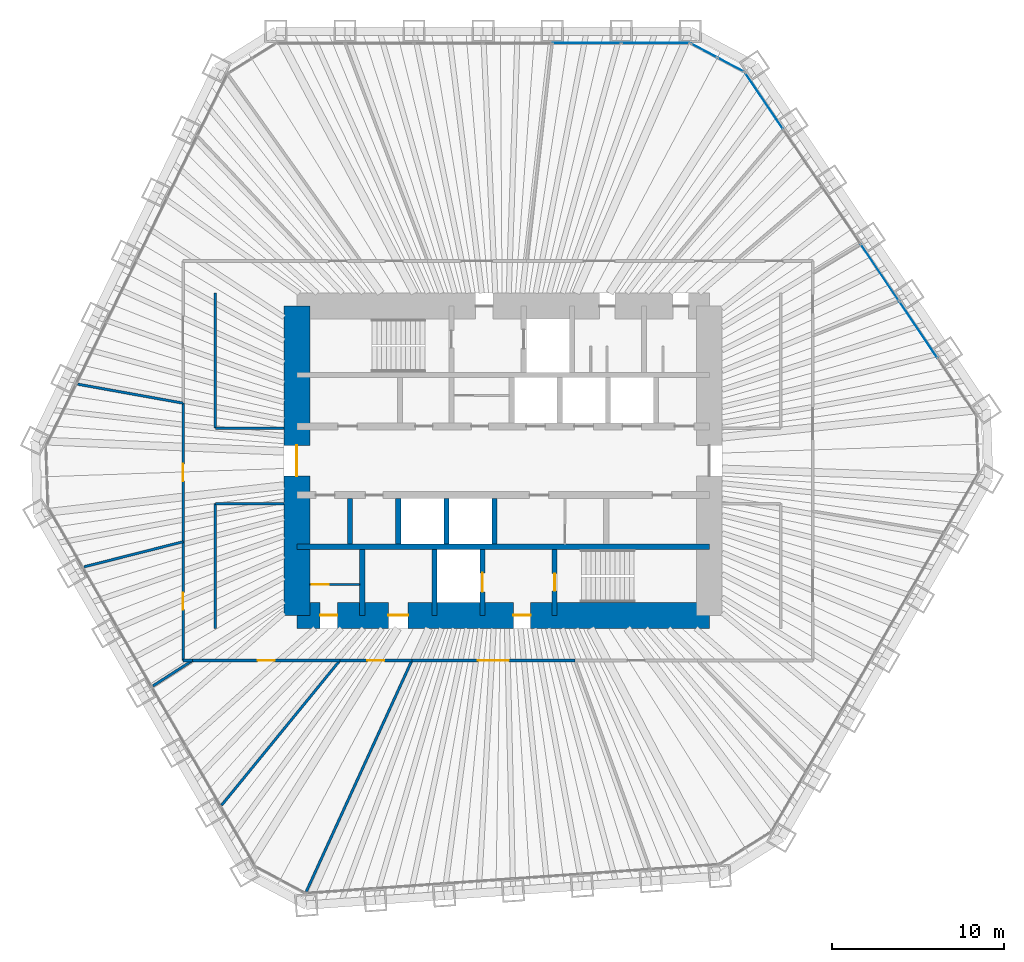
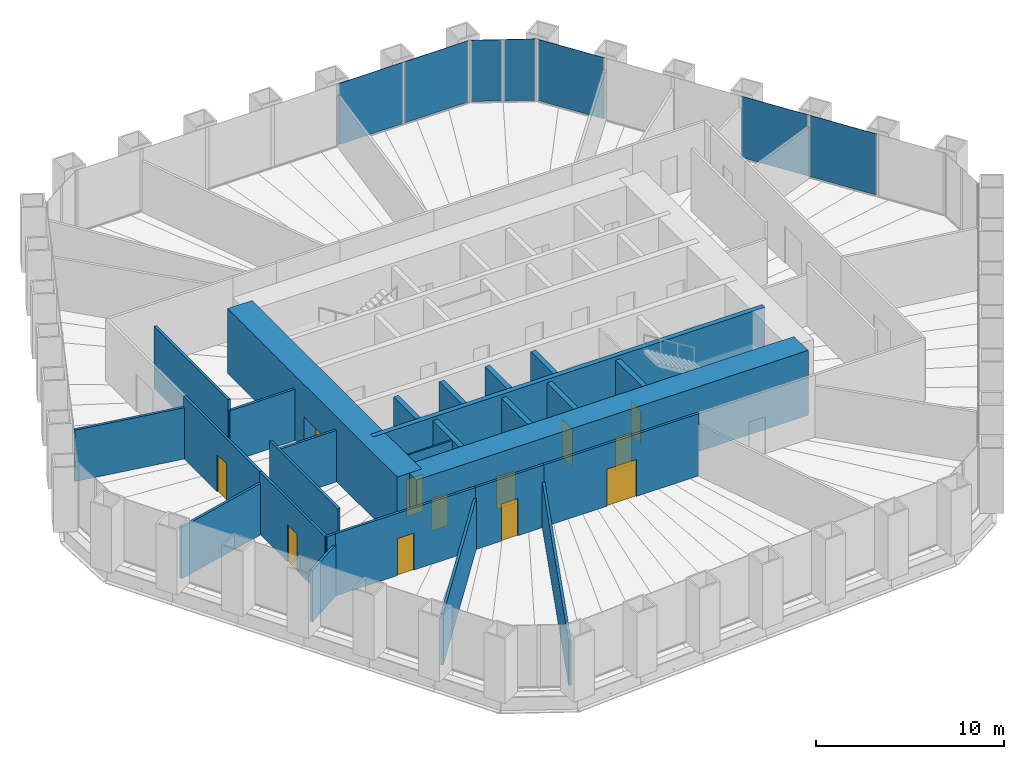
# One storey, part 10 of 13: 27 walls, 12 doors, 7 plates, 12 openings, 3 elements without a shape of their own.
"""IFC4 building model written with IfcOpenShell, lengths in metres."""

from ifc_helpers import new_model, si_unit, direction, frame, frame_2d, origin, origin_2d, place, context, subcontext, project, spatial, rectangle, extrude, material, layer, layer_set, type_object, element, fill, aggregate, save


model = new_model("IFC4")

# Units and contexts
model_context = context("Model", 3, precision=1e-05, world=origin(), true_north=direction((0.0, 1.0)))
body_context = subcontext(model_context, "Body", "Model", "MODEL_VIEW")
ifc_project = project(units=[si_unit("LENGTHUNIT", "METRE"), si_unit("AREAUNIT", "SQUARE_METRE"), si_unit("VOLUMEUNIT", "CUBIC_METRE"), si_unit("PLANEANGLEUNIT", "RADIAN"), si_unit("MASSUNIT", "GRAM", prefix="KILO")], contexts=[model_context])

# Site, building, storey
site_placement = place(None, origin())
site = spatial("IfcSite", under=ifc_project, at=site_placement, CompositionType="ELEMENT")
building_placement = place(site_placement, origin())
building = spatial("IfcBuilding", under=site, at=building_placement, Name="Qingtian Harvest Tower", CompositionType="ELEMENT")
storey_placement = place(building_placement, frame((0.0, 0.0, 157.60009765625)))
storey = spatial("IfcBuildingStorey", under=building, at=storey_placement, Name="L33", CompositionType="ELEMENT", Elevation=157.60009765625)

# Curtain wall, plates
ifc_material_1 = material(Name="Bronze-anodised aluminium curtain wall", Category="aluminium")
curtain_wall_type = type_object("IfcCurtainWallType", Name="Curtain wall CW4 office", PredefinedType="USERDEFINED", material=ifc_material_1)
curtain_wall_1_placement = place(storey_placement, origin())
curtain_wall_1 = element("IfcCurtainWall", 1, at=curtain_wall_1_placement, inside=storey, type_object=curtain_wall_type, Name="Curtain wall CW4 L33 N0-5", ObjectType="RECESSED CURTAIN WALL", PredefinedType="USERDEFINED")
ifc_material_2 = material(Name="Bronze-tinted laminated insulating glass", Category="glass")
ifc_layer_1 = layer(ifc_material_2, 0.030029296875)
ifc_layer_set_1 = layer_set([ifc_layer_1], Name="Glazed panel CWP tinted IGU")
plate_type = type_object("IfcPlateType", Name="Glazed panel CWP tinted IGU", PredefinedType="CURTAIN_PANEL", material=ifc_layer_set_1)
plate_1_placement = place(storey_placement, frame((4.864013671875, 24.300048828125, 0.06494140625), z_axis=(0.0, 0.0, 1.0), x_axis=(1.0, 0.0, 0.0)))
plate_1 = element("IfcPlate", 2, at=plate_1_placement, type_object=plate_type, Name="CW4 panel 5.1", PredefinedType="CURTAIN_PANEL", context=body_context, shape_type="SweptSolid", body=[
    extrude(rectangle(XDim=3.9541015625, YDim=0.030029296875, at=origin_2d()), origin(), (0.0, 0.0, 1.0), 3.965087890625),
])
plate_2_placement = place(storey_placement, frame((8.866943359375, 24.300048828125, 0.06494140625), z_axis=(0.0, 0.0, 1.0), x_axis=(1.0, 0.0, 0.0)))
plate_2 = element("IfcPlate", 3, at=plate_2_placement, type_object=plate_type, Name="CW4 panel 6.1", PredefinedType="CURTAIN_PANEL", context=body_context, shape_type="SweptSolid", body=[
    extrude(rectangle(XDim=3.921630859375, YDim=0.030029296875, at=origin_2d()), origin(), (0.0, 0.0, 1.0), 3.965087890625),
])
aggregate(curtain_wall_1, [plate_1, plate_2])

curtain_wall_2_placement = place(storey_placement, origin())
curtain_wall_2 = element("IfcCurtainWall", 4, at=curtain_wall_2_placement, inside=storey, type_object=curtain_wall_type, Name="Curtain wall CW4 L33 NC", ObjectType="RECESSED CURTAIN WALL", PredefinedType="USERDEFINED")
plate_3_placement = place(storey_placement, frame((11.697509765625, 23.8720703125, 0.06494140625), z_axis=(0.0, 0.0, 1.0), x_axis=(0.882947592859, -0.469471562786, 0.0)))
plate_3 = element("IfcPlate", 5, at=plate_3_placement, type_object=plate_type, Name="CW4 panel 1.1", PredefinedType="CURTAIN_PANEL", context=body_context, shape_type="SweptSolid", body=[
    extrude(rectangle(XDim=1.69287109375, YDim=0.030029296875, at=origin_2d()), origin(), (0.0, 0.0, 1.0), 3.965087890625),
])
plate_4_placement = place(storey_placement, frame((13.249755859375, 23.046875, 0.06494140625), z_axis=(0.0, 0.0, 1.0), x_axis=(0.882947592859, -0.469471562786, 0.0)))
plate_4 = element("IfcPlate", 6, at=plate_4_placement, type_object=plate_type, Name="CW4 panel 2.1", PredefinedType="CURTAIN_PANEL", context=body_context, shape_type="SweptSolid", body=[
    extrude(rectangle(XDim=1.69287109375, YDim=0.030029296875, at=origin_2d()), origin(), (0.0, 0.0, 1.0), 3.965087890625),
])
aggregate(curtain_wall_2, [plate_3, plate_4])

curtain_wall_3_placement = place(storey_placement, origin())
curtain_wall_3 = element("IfcCurtainWall", 7, at=curtain_wall_3_placement, inside=storey, type_object=curtain_wall_type, Name="Curtain wall CW4 L33 NE0-5", ObjectType="RECESSED CURTAIN WALL", PredefinedType="USERDEFINED")
plate_5_placement = place(storey_placement, frame((15.187255859375, 20.939453125, 0.06494140625), z_axis=(0.0, 0.0, 1.0), x_axis=(0.559192903471, -0.829037572555, 0.0)))
plate_5 = element("IfcPlate", 8, at=plate_5_placement, type_object=plate_type, Name="CW4 panel 1.1", PredefinedType="CURTAIN_PANEL", context=body_context, shape_type="SweptSolid", body=[
    extrude(rectangle(XDim=3.921630859375, YDim=0.030029296875, at=origin_2d()), origin(), (0.0, 0.0, 1.0), 3.965087890625),
])
plate_6_placement = place(storey_placement, frame((21.92041015625, 10.95703125, 0.06494140625), z_axis=(0.0, 0.0, 1.0), x_axis=(0.559192903471, -0.829037572555, 0.0)))
plate_6 = element("IfcPlate", 9, at=plate_6_placement, type_object=plate_type, Name="CW4 panel 4.1", PredefinedType="CURTAIN_PANEL", context=body_context, shape_type="SweptSolid", body=[
    extrude(rectangle(XDim=3.9541015625, YDim=0.030029296875, at=origin_2d()), origin(), (0.0, 0.0, 1.0), 3.965087890625),
])
plate_7_placement = place(storey_placement, frame((24.16796875, 7.625, 0.06494140625), z_axis=(0.0, 0.0, 1.0), x_axis=(0.559192903471, -0.829037572555, 0.0)))
plate_7 = element("IfcPlate", 10, at=plate_7_placement, type_object=plate_type, Name="CW4 panel 5.1", PredefinedType="CURTAIN_PANEL", context=body_context, shape_type="SweptSolid", body=[
    extrude(rectangle(XDim=3.9541015625, YDim=0.030029296875, at=origin_2d()), origin(), (0.0, 0.0, 1.0), 3.965087890625),
])
aggregate(curtain_wall_3, [plate_5, plate_6, plate_7])

# Walls
ifc_material_3 = material(Name="Concrete fc' 70 MPa", Category="concrete")
ifc_layer_2 = layer(ifc_material_3, 0.300048828125)
ifc_layer_set_2 = layer_set([ifc_layer_2], Name="Core inner wall RC5 300")
wall_type_1 = type_object("IfcWallType", Name="Core inner wall RC5 300", PredefinedType="SHEAR", material=ifc_layer_set_2)
wall_1_placement = place(storey_placement, frame((-12.0, -5.0, 0.0), z_axis=(0.0, 0.0, 1.0), x_axis=(1.0, 0.0, 0.0)))
element("IfcWall", 11, at=wall_1_placement, inside=storey, type_object=wall_type_1, Name="Core wall IS5 L33", PredefinedType="SHEAR", context=body_context, shape_type="SweptSolid", body=[
    extrude(rectangle(XDim=24.0, YDim=0.300048828125, at=frame_2d((12.0, 0.0))), origin(), (0.0, 0.0, 1.0), 4.199951171875),
])
ifc_material_4 = material(Name="Precast concrete shaft panel", Category="concrete")
ifc_layer_3 = layer(ifc_material_4, 0.300048828125)
ifc_layer_set_3 = layer_set([ifc_layer_3], Name="Core shaft partition SW1 300")
wall_type_2 = type_object("IfcWallType", Name="Core shaft partition SW1 300", PredefinedType="PARTITIONING", material=ifc_layer_set_3)
for number, where, z_axis, x_axis, name in (
    (12, (-8.89990234375, -4.85009765625, 0.0), (0.0, 0.0, 1.0), (0.0, 1.0, 0.0), "Core shaft partition XB1 L33"),
    (13, (-6.10009765625, -4.85009765625, 0.0), (0.0, 0.0, 1.0), (0.0, 1.0, 0.0), "Core shaft partition XB2 L33"),
    (14, (-3.300048828125, -4.85009765625, 0.0), (0.0, 0.0, 1.0), (0.0, 1.0, 0.0), "Core shaft partition XB3 L33"),
    (15, (-0.5, -4.85009765625, 0.0), (0.0, 0.0, 1.0), (0.0, 1.0, 0.0), "Core shaft partition XB4 L33"),
):
    element("IfcWall", number, at=place(storey_placement, frame(where, z_axis=z_axis, x_axis=x_axis)), inside=storey, type_object=wall_type_2, Name=name, PredefinedType="PARTITIONING", context=body_context, shape_type="SweptSolid", body=[
        extrude(rectangle(XDim=2.650146484375, YDim=0.300048828125, at=frame_2d((1.3251953125, 0.0))), origin(), (0.0, 0.0, 1.0), 3.97998046875),
    ])
for number, where, z_axis, x_axis, name in (
    (16, (-8.199951171875, -9.0, 0.0), (0.0, 0.0, 1.0), (0.0, 1.0, 0.0), "Core shaft partition XS1 L33"),
    (17, (-4.0, -9.0, 0.0), (0.0, 0.0, 1.0), (0.0, 1.0, 0.0), "Core shaft partition XS2 L33"),
):
    element("IfcWall", number, at=place(storey_placement, frame(where, z_axis=z_axis, x_axis=x_axis)), inside=storey, type_object=wall_type_2, Name=name, PredefinedType="PARTITIONING", context=body_context, shape_type="SweptSolid", body=[
        extrude(rectangle(XDim=3.85009765625, YDim=0.300048828125, at=frame_2d((1.925048828125, 0.0))), origin(), (0.0, 0.0, 1.0), 3.97998046875),
    ])

# Wall, opening, door
wall_2_placement = place(storey_placement, frame((-1.199951171875, -9.0, 0.0), z_axis=(0.0, 0.0, 1.0), x_axis=(0.0, 1.0, 0.0)))
wall_2 = element("IfcWall", 18, at=wall_2_placement, inside=storey, type_object=wall_type_2, Name="Core shaft partition XS3 L33", PredefinedType="PARTITIONING", context=body_context, shape_type="SweptSolid", body=[
    extrude(rectangle(XDim=3.85009765625, YDim=0.300048828125, at=frame_2d((1.925048828125, 0.0))), origin(), (0.0, 0.0, 1.0), 3.97998046875),
])
opening_1_placement = place(wall_2_placement, frame((1.375, 0.0, 0.0)))
opening_1 = element("IfcOpeningElement", 19, at=opening_1_placement, cuts=wall_2, Name="Opening LD1", PredefinedType="OPENING", context=body_context, shape_type="SweptSolid", body=[
    extrude(rectangle(XDim=1.10009765625, YDim=2.39990234375, at=frame_2d((0.550048828125, 1.199951171875))), frame((0.0, 0.159912109375, 0.0), z_axis=(0.0, -1.0, 0.0), x_axis=(1.0, 0.0, 0.0)), (0.0, 0.0, 1.0), 0.320068359375),
])
ifc_material_5 = material(Name="Stainless steel lift landing door", Category="steel")
door_type_1 = type_object("IfcDoorType", Name="Lift landing door LD1 1 HR", OperationType="DOUBLE_DOOR_SLIDING", PredefinedType="DOOR", material=ifc_material_5)
door_1_placement = place(opening_1_placement, origin())
door_1 = element("IfcDoor", 20, at=door_1_placement, inside=storey, type_object=door_type_1, Name="FL2 landing door L33", OperationType="DOUBLE_DOOR_SLIDING", OverallHeight=2.39990234375, OverallWidth=1.10009765625, PredefinedType="DOOR", context=body_context, shape_type="SweptSolid", body=[
    extrude(rectangle(XDim=1.10009765625, YDim=2.39990234375, at=frame_2d((0.550048828125, 1.199951171875))), frame((0.0, 0.02490234375, 0.0), z_axis=(0.0, -1.0, 0.0), x_axis=(1.0, 0.0, 0.0)), (0.0, 0.0, 1.0), 0.050048828125),
])
fill(opening_1, door_1)

wall_3_placement = place(storey_placement, frame((3.0, -9.0, 0.0), z_axis=(0.0, 0.0, 1.0), x_axis=(0.0, 1.0, 0.0)))
wall_3 = element("IfcWall", 21, at=wall_3_placement, inside=storey, type_object=wall_type_2, Name="Core shaft partition XS4 L33", PredefinedType="PARTITIONING", context=body_context, shape_type="SweptSolid", body=[
    extrude(rectangle(XDim=3.85009765625, YDim=0.300048828125, at=frame_2d((1.925048828125, 0.0))), origin(), (0.0, 0.0, 1.0), 3.97998046875),
])
opening_2_placement = place(wall_3_placement, frame((1.425048828125, 0.0, 0.0)))
opening_2 = element("IfcOpeningElement", 22, at=opening_2_placement, cuts=wall_3, Name="Opening FD1", PredefinedType="OPENING", context=body_context, shape_type="SweptSolid", body=[
    extrude(rectangle(XDim=1.0, YDim=2.10009765625, at=frame_2d((0.5, 1.050048828125))), frame((0.0, 0.159912109375, 0.0), z_axis=(0.0, -1.0, 0.0), x_axis=(1.0, 0.0, 0.0)), (0.0, 0.0, 1.0), 0.320068359375),
])
ifc_material_6 = material(Name="Steel-faced door leaf", Category="steel")
door_type_2 = type_object("IfcDoorType", Name="Fire door FD1 single 1 HR", OperationType="SINGLE_SWING_LEFT", PredefinedType="DOOR", material=ifc_material_6)
door_2_placement = place(opening_2_placement, origin())
door_2 = element("IfcDoor", 23, at=door_2_placement, inside=storey, type_object=door_type_2, Name="S2 door L33", OperationType="SINGLE_SWING_LEFT", OverallHeight=2.10009765625, OverallWidth=1.0, PredefinedType="DOOR", context=body_context, shape_type="SweptSolid", body=[
    extrude(rectangle(XDim=1.0, YDim=2.10009765625, at=frame_2d((0.5, 1.050048828125))), frame((0.0, 0.02490234375, 0.0), z_axis=(0.0, -1.0, 0.0), x_axis=(1.0, 0.0, 0.0)), (0.0, 0.0, 1.0), 0.050048828125),
])
fill(opening_2, door_2)

# Wall, openings, doors
ifc_material_7 = material(Name="Concrete fc' 70 MPa", Category="concrete")
ifc_layer_4 = layer(ifc_material_7, 1.5)
ifc_layer_set_4 = layer_set([ifc_layer_4], Name="Core wall RC1 1500")
wall_type_3 = type_object("IfcWallType", Name="Core wall RC1 1500", PredefinedType="SHEAR", material=ifc_layer_set_4)
wall_4_placement = place(storey_placement, frame((-12.0, -9.0, 0.0), z_axis=(0.0, 0.0, 1.0), x_axis=(1.0, 0.0, 0.0)))
wall_4 = element("IfcWall", 24, at=wall_4_placement, inside=storey, type_object=wall_type_3, Name="Core wall CS L33", PredefinedType="SHEAR", context=body_context, shape_type="SweptSolid", body=[
    extrude(rectangle(XDim=24.0, YDim=1.5, at=frame_2d((12.0, 0.0))), origin(), (0.0, 0.0, 1.0), 4.199951171875),
])
opening_3_placement = place(wall_4_placement, frame((1.35009765625, 0.0, 0.0)))
opening_3 = element("IfcOpeningElement", 25, at=opening_3_placement, cuts=wall_4, Name="Opening FD1", PredefinedType="OPENING", context=body_context, shape_type="SweptSolid", body=[
    extrude(rectangle(XDim=1.0, YDim=2.10009765625, at=frame_2d((0.5, 1.050048828125))), frame((0.0, 0.760009765625, 0.0), z_axis=(0.0, -1.0, 0.0), x_axis=(1.0, 0.0, 0.0)), (0.0, 0.0, 1.0), 1.52001953125),
])
opening_4_placement = place(wall_4_placement, frame((5.324951171875, 0.0, 0.0)))
opening_4 = element("IfcOpeningElement", 26, at=opening_4_placement, cuts=wall_4, Name="Opening AD1", PredefinedType="OPENING", context=body_context, shape_type="SweptSolid", body=[
    extrude(rectangle(XDim=1.14990234375, YDim=2.10009765625, at=frame_2d((0.574951171875, 1.050048828125))), frame((0.0, 0.760009765625, 0.0), z_axis=(0.0, -1.0, 0.0), x_axis=(1.0, 0.0, 0.0)), (0.0, 0.0, 1.0), 1.52001953125),
])
opening_5_placement = place(wall_4_placement, frame((12.60009765625, 0.0, 0.0)))
opening_5 = element("IfcOpeningElement", 27, at=opening_5_placement, cuts=wall_4, Name="Opening FD1", PredefinedType="OPENING", context=body_context, shape_type="SweptSolid", body=[
    extrude(rectangle(XDim=1.0, YDim=2.10009765625, at=frame_2d((0.5, 1.050048828125))), frame((0.0, 0.760009765625, 0.0), z_axis=(0.0, -1.0, 0.0), x_axis=(1.0, 0.0, 0.0)), (0.0, 0.0, 1.0), 1.52001953125),
])
ifc_material_8 = material(Name="Laminated timber door leaf", Category="wood")
door_type_3 = type_object("IfcDoorType", Name="Accessible WC door AD1 single", OperationType="SINGLE_SWING_LEFT", PredefinedType="DOOR", material=ifc_material_8)
door_3_placement = place(opening_4_placement, origin())
door_3 = element("IfcDoor", 28, at=door_3_placement, inside=storey, type_object=door_type_3, Name="AWC door L33", OperationType="SINGLE_SWING_LEFT", OverallHeight=2.10009765625, OverallWidth=1.14990234375, PredefinedType="DOOR", context=body_context, shape_type="SweptSolid", body=[
    extrude(rectangle(XDim=1.14990234375, YDim=2.10009765625, at=frame_2d((0.574951171875, 1.050048828125))), frame((0.0, 0.02490234375, 0.0), z_axis=(0.0, -1.0, 0.0), x_axis=(1.0, 0.0, 0.0)), (0.0, 0.0, 1.0), 0.050048828125),
])
fill(opening_4, door_3)
door_4_placement = place(opening_3_placement, origin())
door_4 = element("IfcDoor", 29, at=door_4_placement, inside=storey, type_object=door_type_2, Name="CLN door L33", OperationType="SINGLE_SWING_RIGHT", OverallHeight=2.10009765625, OverallWidth=1.0, PredefinedType="DOOR", context=body_context, shape_type="SweptSolid", body=[
    extrude(rectangle(XDim=1.0, YDim=2.10009765625, at=frame_2d((0.5, 1.050048828125))), frame((0.0, 0.02490234375, 0.0), z_axis=(0.0, -1.0, 0.0), x_axis=(1.0, 0.0, 0.0)), (0.0, 0.0, 1.0), 0.050048828125),
])
fill(opening_3, door_4)
door_5_placement = place(opening_5_placement, origin())
door_5 = element("IfcDoor", 30, at=door_5_placement, inside=storey, type_object=door_type_2, Name="V2 door L33", OperationType="SINGLE_SWING_LEFT", OverallHeight=2.10009765625, OverallWidth=1.0, PredefinedType="DOOR", context=body_context, shape_type="SweptSolid", body=[
    extrude(rectangle(XDim=1.0, YDim=2.10009765625, at=frame_2d((0.5, 1.050048828125))), frame((0.0, 0.02490234375, 0.0), z_axis=(0.0, -1.0, 0.0), x_axis=(1.0, 0.0, 0.0)), (0.0, 0.0, 1.0), 0.050048828125),
])
fill(opening_5, door_5)

# Wall, opening, door
wall_5_placement = place(storey_placement, frame((-12.0, -9.0, 0.0), z_axis=(0.0, 0.0, 1.0), x_axis=(0.0, 1.0, 0.0)))
wall_5 = element("IfcWall", 31, at=wall_5_placement, inside=storey, type_object=wall_type_3, Name="Core wall CW L33", PredefinedType="SHEAR", context=body_context, shape_type="SweptSolid", body=[
    extrude(rectangle(XDim=18.0, YDim=1.5, at=frame_2d((9.0, 0.0))), origin(), (0.0, 0.0, 1.0), 4.199951171875),
])
opening_6_placement = place(wall_5_placement, frame((8.10009765625, 0.0, 0.0)))
opening_6 = element("IfcOpeningElement", 32, at=opening_6_placement, cuts=wall_5, Name="Opening FD2", PredefinedType="OPENING", context=body_context, shape_type="SweptSolid", body=[
    extrude(rectangle(XDim=1.800048828125, YDim=2.10009765625, at=frame_2d((0.89990234375, 1.050048828125))), frame((0.0, 0.760009765625, 0.0), z_axis=(0.0, -1.0, 0.0), x_axis=(1.0, 0.0, 0.0)), (0.0, 0.0, 1.0), 1.52001953125),
])
ifc_material_9 = material(Name="Steel-faced door leaf", Category="steel")
door_type_4 = type_object("IfcDoorType", Name="Fire door FD2 double 1 HR", OperationType="DOUBLE_DOOR_DOUBLE_SWING", PredefinedType="DOOR", material=ifc_material_9)
door_6_placement = place(opening_6_placement, origin())
door_6 = element("IfcDoor", 33, at=door_6_placement, inside=storey, type_object=door_type_4, Name="LOBBY-W door L33", OperationType="DOUBLE_DOOR_DOUBLE_SWING", OverallHeight=2.10009765625, OverallWidth=1.800048828125, PredefinedType="DOOR", context=body_context, shape_type="SweptSolid", body=[
    extrude(rectangle(XDim=1.800048828125, YDim=2.10009765625, at=frame_2d((0.89990234375, 1.050048828125))), frame((0.0, 0.02490234375, 0.0), z_axis=(0.0, -1.0, 0.0), x_axis=(1.0, 0.0, 0.0)), (0.0, 0.0, 1.0), 0.050048828125),
])
fill(opening_6, door_6)

ifc_material_10 = material(Name="Gypsum board on steel studs", Category="steel")
ifc_layer_5 = layer(ifc_material_10, 0.14990234375)
ifc_layer_set_5 = layer_set([ifc_layer_5], Name="Partition PT1 150")
wall_type_4 = type_object("IfcWallType", Name="Partition PT1 150", PredefinedType="PARTITIONING", material=ifc_layer_set_5)
wall_6_placement = place(storey_placement, frame((4.18408203125, -11.625, 0.0), z_axis=(0.0, 0.0, 1.0), x_axis=(-1.0, 0.0, 0.0)))
wall_6 = element("IfcWall", 34, at=wall_6_placement, inside=storey, type_object=wall_type_4, Name="Workplace zone wall L33", PredefinedType="PARTITIONING", context=body_context, shape_type="SweptSolid", body=[
    extrude(rectangle(XDim=9.494384765625, YDim=0.14990234375, at=frame_2d((4.7470703125, 0.0))), origin(), (0.0, 0.0, 1.0), 4.02978515625),
])
opening_7_placement = place(wall_6_placement, frame((3.84716796875, 0.0, 0.0)))
opening_7 = element("IfcOpeningElement", 35, at=opening_7_placement, cuts=wall_6, Name="Opening D3", PredefinedType="OPENING", context=body_context, shape_type="SweptSolid", body=[
    extrude(rectangle(XDim=1.800048828125, YDim=2.39990234375, at=frame_2d((0.89990234375, 1.199951171875))), frame((0.0, 0.0849609375, 0.0), z_axis=(0.0, -1.0, 0.0), x_axis=(1.0, 0.0, 0.0)), (0.0, 0.0, 1.0), 0.169921875),
])
ifc_material_11 = material(Name="Laminated timber door leaf", Category="wood")
door_type_5 = type_object("IfcDoorType", Name="Room door D3 double", OperationType="DOUBLE_DOOR_DOUBLE_SWING", PredefinedType="DOOR", material=ifc_material_11)
door_7_placement = place(opening_7_placement, origin())
door_7 = element("IfcDoor", 36, at=door_7_placement, inside=storey, type_object=door_type_5, Name="Workplace zone door L33", OperationType="DOUBLE_DOOR_DOUBLE_SWING", OverallHeight=2.39990234375, OverallWidth=1.800048828125, PredefinedType="DOOR", context=body_context, shape_type="SweptSolid", body=[
    extrude(rectangle(XDim=1.800048828125, YDim=2.39990234375, at=frame_2d((0.89990234375, 1.199951171875))), frame((0.0, 0.02490234375, 0.0), z_axis=(0.0, -1.0, 0.0), x_axis=(1.0, 0.0, 0.0)), (0.0, 0.0, 1.0), 0.050048828125),
])
fill(opening_7, door_7)

# Wall
wall_7_placement = place(storey_placement, frame((-11.452880859375, -25.072265625, 0.0), z_axis=(0.0, 0.0, 1.0), x_axis=(0.415494357555, 0.909595755729, 0.0)))
element("IfcWall", 37, at=wall_7_placement, inside=storey, type_object=wall_type_4, Name="Store room wall L33", PredefinedType="PARTITIONING", context=body_context, shape_type="SweptSolid", body=[
    extrude(rectangle(XDim=14.78369140625, YDim=0.14990234375, at=frame_2d((7.391845703125, 0.0))), origin(), (0.0, 0.0, 1.0), 2.929931640625),
])

# Wall, opening, door
wall_8_placement = place(storey_placement, frame((-5.310302734375, -11.625, 0.0), z_axis=(0.0, 0.0, 1.0), x_axis=(-1.0, 0.0, 0.0)))
wall_8 = element("IfcWall", 38, at=wall_8_placement, inside=storey, type_object=wall_type_4, Name="Store room wall L33", PredefinedType="PARTITIONING", context=body_context, shape_type="SweptSolid", body=[
    extrude(rectangle(XDim=4.1904296875, YDim=0.14990234375, at=frame_2d((2.09521484375, 0.0))), origin(), (0.0, 0.0, 1.0), 4.02978515625),
])
opening_8_placement = place(wall_8_placement, frame((1.59521484375, 0.0, 0.0)))
opening_8 = element("IfcOpeningElement", 39, at=opening_8_placement, cuts=wall_8, Name="Opening D2", PredefinedType="OPENING", context=body_context, shape_type="SweptSolid", body=[
    extrude(rectangle(XDim=1.0, YDim=2.39990234375, at=frame_2d((0.5, 1.199951171875))), frame((0.0, 0.0849609375, 0.0), z_axis=(0.0, -1.0, 0.0), x_axis=(1.0, 0.0, 0.0)), (0.0, 0.0, 1.0), 0.169921875),
])
ifc_material_12 = material(Name="Laminated timber door leaf", Category="wood")
door_type_6 = type_object("IfcDoorType", Name="Room door D2 single", OperationType="SINGLE_SWING_LEFT", PredefinedType="DOOR", material=ifc_material_12)
door_8_placement = place(opening_8_placement, origin())
door_8 = element("IfcDoor", 40, at=door_8_placement, inside=storey, type_object=door_type_6, Name="Store room door L33", OperationType="SINGLE_SWING_RIGHT", OverallHeight=2.39990234375, OverallWidth=1.0, PredefinedType="DOOR", context=body_context, shape_type="SweptSolid", body=[
    extrude(rectangle(XDim=1.0, YDim=2.39990234375, at=frame_2d((0.5, 1.199951171875))), frame((0.0, 0.02490234375, 0.0), z_axis=(0.0, -1.0, 0.0), x_axis=(1.0, 0.0, 0.0)), (0.0, 0.0, 1.0), 0.050048828125),
])
fill(opening_8, door_8)

# Wall
wall_9_placement = place(storey_placement, frame((-16.3798828125, -20.042236328125, 0.0), z_axis=(0.0, 0.0, 1.0), x_axis=(0.632814540967, 0.774303400962, 0.0)))
element("IfcWall", 41, at=wall_9_placement, inside=storey, type_object=wall_type_4, Name="Pantry wall L33", PredefinedType="PARTITIONING", context=body_context, shape_type="SweptSolid", body=[
    extrude(rectangle(XDim=10.87060546875, YDim=0.14990234375, at=frame_2d((5.435302734375, 0.0))), origin(), (0.0, 0.0, 1.0), 3.329833984375),
])

# Wall, opening, door
wall_10_placement = place(storey_placement, frame((-9.500732421875, -11.625, 0.0), z_axis=(0.0, 0.0, 1.0), x_axis=(-1.0, 0.0, 0.0)))
wall_10 = element("IfcWall", 42, at=wall_10_placement, inside=storey, type_object=wall_type_4, Name="Pantry wall L33", PredefinedType="PARTITIONING", context=body_context, shape_type="SweptSolid", body=[
    extrude(rectangle(XDim=8.57666015625, YDim=0.14990234375, at=frame_2d((4.288330078125, 0.0))), origin(), (0.0, 0.0, 1.0), 4.02978515625),
])
opening_9_placement = place(wall_10_placement, frame((3.788330078125, 0.0, 0.0)))
opening_9 = element("IfcOpeningElement", 43, at=opening_9_placement, cuts=wall_10, Name="Opening D2", PredefinedType="OPENING", context=body_context, shape_type="SweptSolid", body=[
    extrude(rectangle(XDim=1.0, YDim=2.39990234375, at=frame_2d((0.5, 1.199951171875))), frame((0.0, 0.0849609375, 0.0), z_axis=(0.0, -1.0, 0.0), x_axis=(1.0, 0.0, 0.0)), (0.0, 0.0, 1.0), 0.169921875),
])
door_9_placement = place(opening_9_placement, origin())
door_9 = element("IfcDoor", 44, at=door_9_placement, inside=storey, type_object=door_type_6, Name="Pantry door L33", OperationType="SINGLE_SWING_RIGHT", OverallHeight=2.39990234375, OverallWidth=1.0, PredefinedType="DOOR", context=body_context, shape_type="SweptSolid", body=[
    extrude(rectangle(XDim=1.0, YDim=2.39990234375, at=frame_2d((0.5, 1.199951171875))), frame((0.0, 0.02490234375, 0.0), z_axis=(0.0, -1.0, 0.0), x_axis=(1.0, 0.0, 0.0)), (0.0, 0.0, 1.0), 0.050048828125),
])
fill(opening_9, door_9)

# Walls
wall_11_placement = place(storey_placement, frame((-20.378173828125, -13.1044921875, 0.0), z_axis=(0.0, 0.0, 1.0), x_axis=(0.841108871346, 0.540865848934, 0.0)))
element("IfcWall", 45, at=wall_11_placement, inside=storey, type_object=wall_type_4, Name="Print room wall L33", PredefinedType="PARTITIONING", context=body_context, shape_type="SweptSolid", body=[
    extrude(rectangle(XDim=2.7353515625, YDim=0.14990234375, at=frame_2d((1.36767578125, 0.0))), origin(), (0.0, 0.0, 1.0), 3.329833984375),
])
wall_12_placement = place(storey_placement, frame((-18.077392578125, -11.625, 0.0), z_axis=(0.0, 0.0, 1.0), x_axis=(-1.0, 0.0, 0.0)))
element("IfcWall", 46, at=wall_12_placement, inside=storey, type_object=wall_type_4, Name="Print room wall L33", PredefinedType="PARTITIONING", context=body_context, shape_type="SweptSolid", body=[
    extrude(rectangle(XDim=0.547607421875, YDim=0.14990234375, at=frame_2d((0.27392578125, 0.0))), origin(), (0.0, 0.0, 1.0), 4.02978515625),
])

# Wall, opening, door
wall_13_placement = place(storey_placement, frame((-18.625, -11.625, 0.0), z_axis=(0.0, 0.0, 1.0), x_axis=(0.0, 1.0, 0.0)))
wall_13 = element("IfcWall", 47, at=wall_13_placement, inside=storey, type_object=wall_type_4, Name="Print room wall L33", PredefinedType="PARTITIONING", context=body_context, shape_type="SweptSolid", body=[
    extrude(rectangle(XDim=6.91015625, YDim=0.14990234375, at=frame_2d((3.455078125, 0.0))), origin(), (0.0, 0.0, 1.0), 4.02978515625),
])
opening_10_placement = place(wall_13_placement, frame((2.955078125, 0.0, 0.0)))
opening_10 = element("IfcOpeningElement", 48, at=opening_10_placement, cuts=wall_13, Name="Opening D2", PredefinedType="OPENING", context=body_context, shape_type="SweptSolid", body=[
    extrude(rectangle(XDim=1.0, YDim=2.39990234375, at=frame_2d((0.5, 1.199951171875))), frame((0.0, 0.0849609375, 0.0), z_axis=(0.0, -1.0, 0.0), x_axis=(1.0, 0.0, 0.0)), (0.0, 0.0, 1.0), 0.169921875),
])
door_10_placement = place(opening_10_placement, origin())
door_10 = element("IfcDoor", 49, at=door_10_placement, inside=storey, type_object=door_type_6, Name="Print room door L33", OperationType="SINGLE_SWING_RIGHT", OverallHeight=2.39990234375, OverallWidth=1.0, PredefinedType="DOOR", context=body_context, shape_type="SweptSolid", body=[
    extrude(rectangle(XDim=1.0, YDim=2.39990234375, at=frame_2d((0.5, 1.199951171875))), frame((0.0, 0.02490234375, 0.0), z_axis=(0.0, -1.0, 0.0), x_axis=(1.0, 0.0, 0.0)), (0.0, 0.0, 1.0), 0.050048828125),
])
fill(opening_10, door_10)

# Wall
wall_14_placement = place(storey_placement, frame((-24.38427734375, -6.172607421875, 0.0), z_axis=(0.0, 0.0, 1.0), x_axis=(0.969427635767, 0.245377380804, 0.0)))
element("IfcWall", 50, at=wall_14_placement, inside=storey, type_object=wall_type_4, Name="Quiet room wall L33", PredefinedType="PARTITIONING", context=body_context, shape_type="SweptSolid", body=[
    extrude(rectangle(XDim=5.94091796875, YDim=0.14990234375, at=frame_2d((2.970458984375, 0.0))), origin(), (0.0, 0.0, 1.0), 3.329833984375),
])

# Wall, opening, door
wall_15_placement = place(storey_placement, frame((-18.625, -4.71484375, 0.0), z_axis=(0.0, 0.0, 1.0), x_axis=(0.0, 1.0, 0.0)))
wall_15 = element("IfcWall", 51, at=wall_15_placement, inside=storey, type_object=wall_type_4, Name="Quiet room wall L33", PredefinedType="PARTITIONING", context=body_context, shape_type="SweptSolid", body=[
    extrude(rectangle(XDim=8.06787109375, YDim=0.14990234375, at=frame_2d((4.033935546875, 0.0))), origin(), (0.0, 0.0, 1.0), 4.02978515625),
])
opening_11_placement = place(wall_15_placement, frame((3.533935546875, 0.0, 0.0)))
opening_11 = element("IfcOpeningElement", 52, at=opening_11_placement, cuts=wall_15, Name="Opening D2", PredefinedType="OPENING", context=body_context, shape_type="SweptSolid", body=[
    extrude(rectangle(XDim=1.0, YDim=2.39990234375, at=frame_2d((0.5, 1.199951171875))), frame((0.0, 0.0849609375, 0.0), z_axis=(0.0, -1.0, 0.0), x_axis=(1.0, 0.0, 0.0)), (0.0, 0.0, 1.0), 0.169921875),
])
door_11_placement = place(opening_11_placement, origin())
door_11 = element("IfcDoor", 53, at=door_11_placement, inside=storey, type_object=door_type_6, Name="Quiet room door L33", OperationType="SINGLE_SWING_RIGHT", OverallHeight=2.39990234375, OverallWidth=1.0, PredefinedType="DOOR", context=body_context, shape_type="SweptSolid", body=[
    extrude(rectangle(XDim=1.0, YDim=2.39990234375, at=frame_2d((0.5, 1.199951171875))), frame((0.0, 0.02490234375, 0.0), z_axis=(0.0, -1.0, 0.0), x_axis=(1.0, 0.0, 0.0)), (0.0, 0.0, 1.0), 0.050048828125),
])
fill(opening_11, door_11)

# Walls
wall_16_placement = place(storey_placement, frame((-24.75537109375, 4.456787109375, 0.0), z_axis=(0.0, 0.0, 1.0), x_axis=(0.984175122587, -0.177198555524, 0.0)))
element("IfcWall", 54, at=wall_16_placement, inside=storey, type_object=wall_type_4, Name="Workplace zone wall L33", PredefinedType="PARTITIONING", context=body_context, shape_type="SweptSolid", body=[
    extrude(rectangle(XDim=6.22900390625, YDim=0.14990234375, at=frame_2d((3.114501953125, 0.0))), origin(), (0.0, 0.0, 1.0), 3.329833984375),
])
wall_17_placement = place(storey_placement, frame((-16.75, 1.89990234375, 0.0), z_axis=(0.0, 0.0, 1.0), x_axis=(0.0, 1.0, 0.0)))
element("IfcWall", 55, at=wall_17_placement, inside=storey, type_object=wall_type_4, Name="Reading area wall L33", PredefinedType="PARTITIONING", context=body_context, shape_type="SweptSolid", body=[
    extrude(rectangle(XDim=7.85009765625, YDim=0.14990234375, at=frame_2d((3.925048828125, 0.0))), origin(), (0.0, 0.0, 1.0), 4.02978515625),
])
wall_18_placement = place(storey_placement, frame((-12.75, 1.89990234375, 0.0), z_axis=(0.0, 0.0, 1.0), x_axis=(-1.0, 0.0, 0.0)))
element("IfcWall", 56, at=wall_18_placement, inside=storey, type_object=wall_type_4, Name="Reading area wall L33", PredefinedType="PARTITIONING", context=body_context, shape_type="SweptSolid", body=[
    extrude(rectangle(XDim=4.0, YDim=0.14990234375, at=frame_2d((2.0, 0.0))), origin(), (0.0, 0.0, 1.0), 3.329833984375),
])
wall_19_placement = place(storey_placement, frame((-16.75, -9.75, 0.0), z_axis=(0.0, 0.0, 1.0), x_axis=(0.0, 1.0, 0.0)))
element("IfcWall", 57, at=wall_19_placement, inside=storey, type_object=wall_type_4, Name="Coffee point wall L33", PredefinedType="PARTITIONING", context=body_context, shape_type="SweptSolid", body=[
    extrude(rectangle(XDim=7.25, YDim=0.14990234375, at=frame_2d((3.625, 0.0))), origin(), (0.0, 0.0, 1.0), 4.02978515625),
])
wall_20_placement = place(storey_placement, frame((-12.75, -2.5, 0.0), z_axis=(0.0, 0.0, 1.0), x_axis=(-1.0, 0.0, 0.0)))
element("IfcWall", 58, at=wall_20_placement, inside=storey, type_object=wall_type_4, Name="Coffee point wall L33", PredefinedType="PARTITIONING", context=body_context, shape_type="SweptSolid", body=[
    extrude(rectangle(XDim=4.0, YDim=0.14990234375, at=frame_2d((2.0, 0.0))), origin(), (0.0, 0.0, 1.0), 3.329833984375),
])

# Wall, opening, door
ifc_material_13 = material(Name="Concrete block partition", Category="concrete")
ifc_layer_6 = layer(ifc_material_13, 0.10009765625)
ifc_layer_set_6 = layer_set([ifc_layer_6], Name="Store partition PT3 100")
wall_type_5 = type_object("IfcWallType", Name="Store partition PT3 100", PredefinedType="PARTITIONING", material=ifc_layer_set_6)
wall_21_placement = place(storey_placement, frame((-11.25, -7.199951171875, 0.0), z_axis=(0.0, 0.0, 1.0), x_axis=(1.0, 0.0, 0.0)))
wall_21 = element("IfcWall", 59, at=wall_21_placement, inside=storey, type_object=wall_type_5, Name="Waste store wall L33", PredefinedType="PARTITIONING", context=body_context, shape_type="SweptSolid", body=[
    extrude(rectangle(XDim=2.89990234375, YDim=0.10009765625, at=frame_2d((1.449951171875, 0.0))), origin(), (0.0, 0.0, 1.0), 3.97998046875),
])
opening_12_placement = place(wall_21_placement, frame((0.10009765625, 0.0, 0.0)))
opening_12 = element("IfcOpeningElement", 60, at=opening_12_placement, cuts=wall_21, Name="Opening D2", PredefinedType="OPENING", context=body_context, shape_type="SweptSolid", body=[
    extrude(rectangle(XDim=1.0, YDim=2.39990234375, at=frame_2d((0.5, 1.199951171875))), frame((0.0, 0.06005859375, 0.0), z_axis=(0.0, -1.0, 0.0), x_axis=(1.0, 0.0, 0.0)), (0.0, 0.0, 1.0), 0.1201171875),
])
door_12_placement = place(opening_12_placement, origin())
door_12 = element("IfcDoor", 61, at=door_12_placement, inside=storey, type_object=door_type_6, Name="Waste store door L33", OperationType="SINGLE_SWING_LEFT", OverallHeight=2.39990234375, OverallWidth=1.0, PredefinedType="DOOR", context=body_context, shape_type="SweptSolid", body=[
    extrude(rectangle(XDim=1.0, YDim=2.39990234375, at=frame_2d((0.5, 1.199951171875))), frame((0.0, 0.02490234375, 0.0), z_axis=(0.0, -1.0, 0.0), x_axis=(1.0, 0.0, 0.0)), (0.0, 0.0, 1.0), 0.050048828125),
])
fill(opening_12, door_12)

save(model, "model.ifc")
